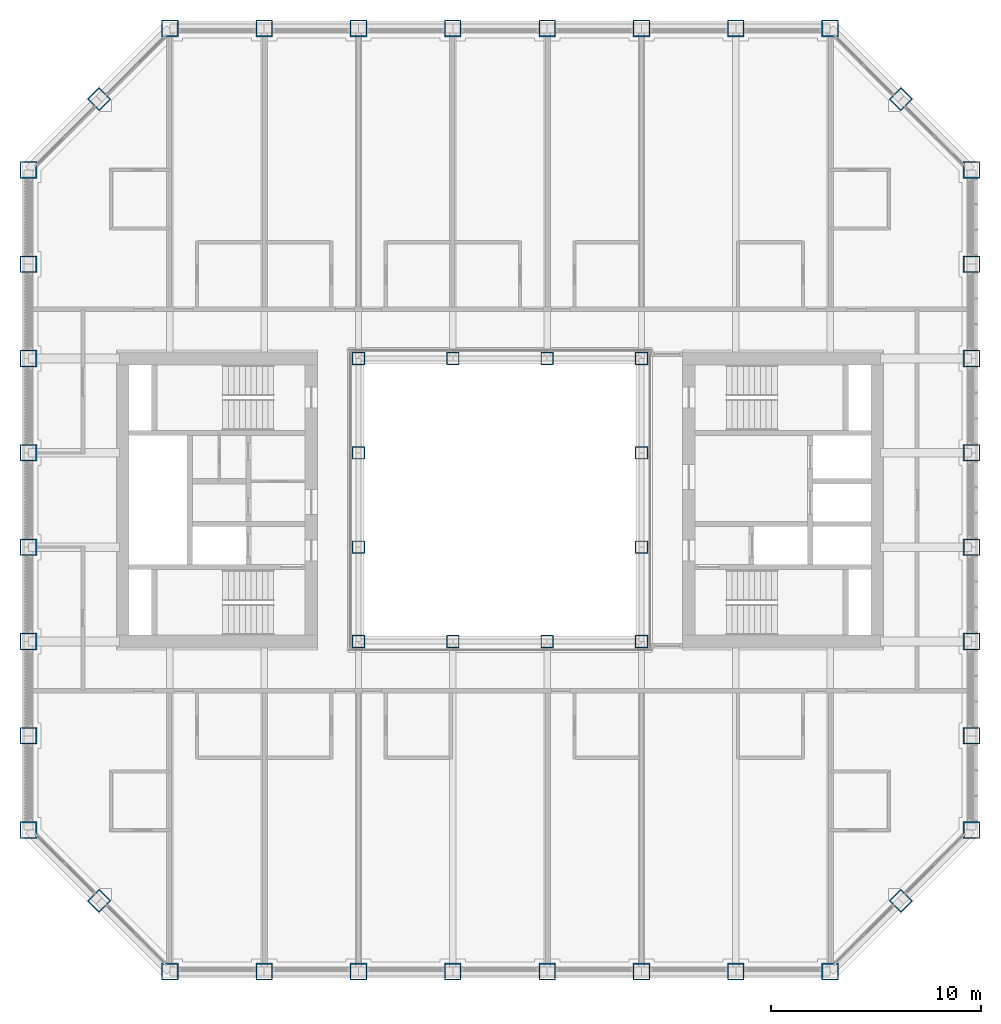
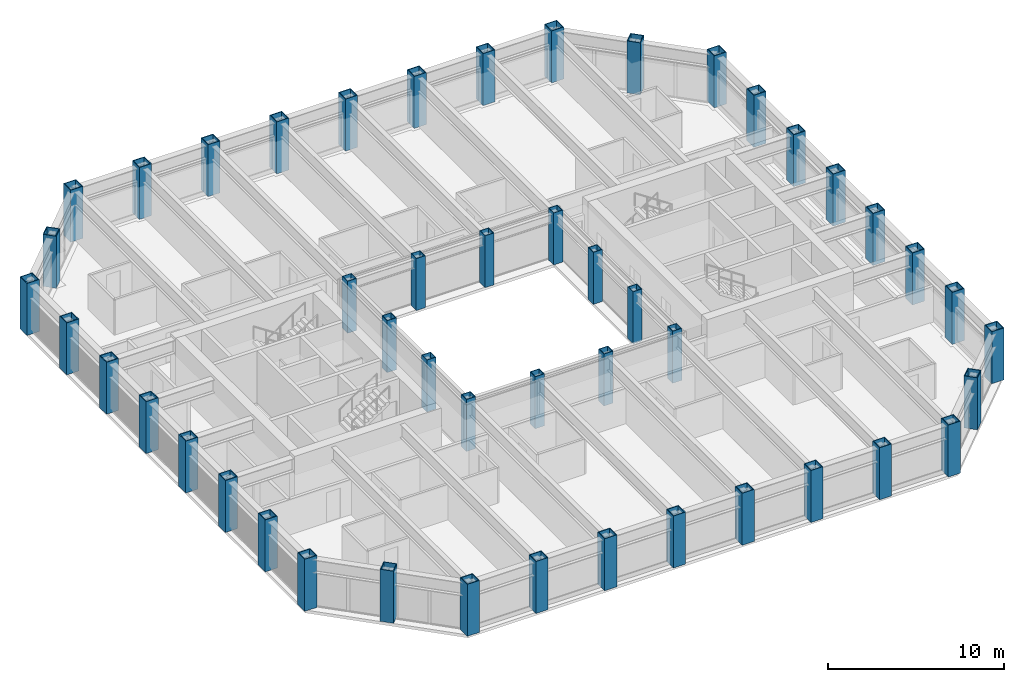
# One storey, part 1 of 17: 48 columns.
"""IFC4 building model written with IfcOpenShell, lengths in metres."""

from ifc_helpers import new_model, si_unit, direction, frame, origin, origin_2d, place, context, subcontext, project, spatial, hollow_rectangle, extrude, material, material_profile, profile_set, type_object, element, save


model = new_model("IFC4")

# Units and contexts
model_context = context("Model", 3, precision=1e-05, world=origin(), true_north=direction((0.0, 1.0)))
body_context = subcontext(model_context, "Body", "Model", "MODEL_VIEW")
ifc_project = project(units=[si_unit("LENGTHUNIT", "METRE"), si_unit("AREAUNIT", "SQUARE_METRE"), si_unit("VOLUMEUNIT", "CUBIC_METRE"), si_unit("PLANEANGLEUNIT", "RADIAN"), si_unit("MASSUNIT", "GRAM", prefix="KILO")], contexts=[model_context])

# Site, building, storey
site_placement = place(None, origin())
site = spatial("IfcSite", under=ifc_project, at=site_placement, CompositionType="ELEMENT")
building_placement = place(site_placement, origin())
building = spatial("IfcBuilding", under=site, at=building_placement, Name="Msasa Ring Tower", CompositionType="ELEMENT")
storey_placement = place(building_placement, frame((0.0, 0.0, 140.0)))
storey = spatial("IfcBuildingStorey", under=building, at=storey_placement, Name="L36", CompositionType="ELEMENT", Elevation=140.0)

# Columns
ifc_material_1 = material(Name="Steel S355", Category="steel")
ifc_material_profile_1 = material_profile(ifc_material_1, hollow_rectangle(XDim=0.60009765625, YDim=0.60009765625, WallThickness=0.0400390625, at=origin_2d()), Name="BOX 600x600x40")
ifc_profile_set_1 = profile_set([ifc_material_profile_1], Name="Steel S355")
column_type_1 = type_object("IfcColumnType", Name="IC4 BOX 600x600x40", PredefinedType="COLUMN", material=ifc_profile_set_1)
for number, where, z_axis, x_axis, name in (
    (1, (-6.75, -6.75, 0.0), (0.0, 0.0, 1.0), (1.0, 0.0, 0.0), "Inner ring column IR-6.75-6.75 L36"),
    (2, (-6.75, -2.25, 0.0), (0.0, 0.0, 1.0), (1.0, 0.0, 0.0), "Inner ring column IR-6.75-2.25 L36"),
    (3, (-6.75, 2.25, 0.0), (0.0, 0.0, 1.0), (1.0, 0.0, 0.0), "Inner ring column IR-6.75+2.25 L36"),
    (4, (-6.75, 6.75, 0.0), (0.0, 0.0, 1.0), (1.0, 0.0, 0.0), "Inner ring column IR-6.75+6.75 L36"),
    (5, (-2.25, -6.75, 0.0), (0.0, 0.0, 1.0), (1.0, 0.0, 0.0), "Inner ring column IR-2.25-6.75 L36"),
    (6, (-2.25, 6.75, 0.0), (0.0, 0.0, 1.0), (1.0, 0.0, 0.0), "Inner ring column IR-2.25+6.75 L36"),
    (7, (2.25, -6.75, 0.0), (0.0, 0.0, 1.0), (1.0, 0.0, 0.0), "Inner ring column IR+2.25-6.75 L36"),
    (8, (2.25, 6.75, 0.0), (0.0, 0.0, 1.0), (1.0, 0.0, 0.0), "Inner ring column IR+2.25+6.75 L36"),
    (9, (6.75, -6.75, 0.0), (0.0, 0.0, 1.0), (1.0, 0.0, 0.0), "Inner ring column IR+6.75-6.75 L36"),
    (10, (6.75, -2.25, 0.0), (0.0, 0.0, 1.0), (1.0, 0.0, 0.0), "Inner ring column IR+6.75-2.25 L36"),
    (11, (6.75, 2.25, 0.0), (0.0, 0.0, 1.0), (1.0, 0.0, 0.0), "Inner ring column IR+6.75+2.25 L36"),
    (12, (6.75, 6.75, 0.0), (0.0, 0.0, 1.0), (1.0, 0.0, 0.0), "Inner ring column IR+6.75+6.75 L36"),
):
    element("IfcColumn", number, at=place(storey_placement, frame(where, z_axis=z_axis, x_axis=x_axis)), inside=storey, type_object=column_type_1, Name=name, PredefinedType="COLUMN", context=body_context, shape_type="SweptSolid", body=[
        extrude(hollow_rectangle(XDim=0.60009765625, YDim=0.60009765625, WallThickness=0.0400390625, at=origin_2d()), origin(), (0.0, 0.0, 1.0), 3.60009765625),
    ])
ifc_material_2 = material(Name="Steel S355", Category="steel")
ifc_material_profile_2 = material_profile(ifc_material_2, hollow_rectangle(XDim=0.800048828125, YDim=0.800048828125, WallThickness=0.050048828125, at=origin_2d()), Name="BOX 800x800x50")
ifc_profile_set_2 = profile_set([ifc_material_profile_2], Name="Steel S355")
column_type_2 = type_object("IfcColumnType", Name="TC4 BOX 800x800x50", PredefinedType="COLUMN", material=ifc_profile_set_2)
for number, where, z_axis, x_axis, name in (
    (13, (-15.75, -22.5, 0.0), (0.0, 0.0, 1.0), (0.0, 1.0, 0.0), "Tube column S-15.75 L36"),
    (14, (-15.75, 22.5, 0.0), (0.0, 0.0, 1.0), (0.0, 1.0, 0.0), "Tube column N-15.75 L36"),
    (15, (22.5, -15.75, 0.0), (0.0, 0.0, 1.0), (1.0, 0.0, 0.0), "Tube column E-15.75 L36"),
    (16, (-22.5, -15.75, 0.0), (0.0, 0.0, 1.0), (1.0, 0.0, 0.0), "Tube column W-15.75 L36"),
    (17, (-11.25, -22.5, 0.0), (0.0, 0.0, 1.0), (0.0, 1.0, 0.0), "Tube column S-11.25 L36"),
    (18, (-11.25, 22.5, 0.0), (0.0, 0.0, 1.0), (0.0, 1.0, 0.0), "Tube column N-11.25 L36"),
    (19, (22.5, -11.25, 0.0), (0.0, 0.0, 1.0), (1.0, 0.0, 0.0), "Tube column E-11.25 L36"),
    (20, (-22.5, -11.25, 0.0), (0.0, 0.0, 1.0), (1.0, 0.0, 0.0), "Tube column W-11.25 L36"),
    (21, (-6.75, -22.5, 0.0), (0.0, 0.0, 1.0), (0.0, 1.0, 0.0), "Tube column S-6.75 L36"),
    (22, (-6.75, 22.5, 0.0), (0.0, 0.0, 1.0), (0.0, 1.0, 0.0), "Tube column N-6.75 L36"),
    (23, (22.5, -6.75, 0.0), (0.0, 0.0, 1.0), (1.0, 0.0, 0.0), "Tube column E-6.75 L36"),
    (24, (-22.5, -6.75, 0.0), (0.0, 0.0, 1.0), (1.0, 0.0, 0.0), "Tube column W-6.75 L36"),
    (25, (-2.25, -22.5, 0.0), (0.0, 0.0, 1.0), (0.0, 1.0, 0.0), "Tube column S-2.25 L36"),
    (26, (-2.25, 22.5, 0.0), (0.0, 0.0, 1.0), (0.0, 1.0, 0.0), "Tube column N-2.25 L36"),
    (27, (22.5, -2.25, 0.0), (0.0, 0.0, 1.0), (1.0, 0.0, 0.0), "Tube column E-2.25 L36"),
    (28, (-22.5, -2.25, 0.0), (0.0, 0.0, 1.0), (1.0, 0.0, 0.0), "Tube column W-2.25 L36"),
    (29, (2.25, -22.5, 0.0), (0.0, 0.0, 1.0), (0.0, 1.0, 0.0), "Tube column S+2.25 L36"),
    (30, (2.25, 22.5, 0.0), (0.0, 0.0, 1.0), (0.0, 1.0, 0.0), "Tube column N+2.25 L36"),
    (31, (22.5, 2.25, 0.0), (0.0, 0.0, 1.0), (1.0, 0.0, 0.0), "Tube column E+2.25 L36"),
    (32, (-22.5, 2.25, 0.0), (0.0, 0.0, 1.0), (1.0, 0.0, 0.0), "Tube column W+2.25 L36"),
    (33, (6.75, -22.5, 0.0), (0.0, 0.0, 1.0), (0.0, 1.0, 0.0), "Tube column S+6.75 L36"),
    (34, (6.75, 22.5, 0.0), (0.0, 0.0, 1.0), (0.0, 1.0, 0.0), "Tube column N+6.75 L36"),
    (35, (22.5, 6.75, 0.0), (0.0, 0.0, 1.0), (1.0, 0.0, 0.0), "Tube column E+6.75 L36"),
    (36, (-22.5, 6.75, 0.0), (0.0, 0.0, 1.0), (1.0, 0.0, 0.0), "Tube column W+6.75 L36"),
    (37, (11.25, -22.5, 0.0), (0.0, 0.0, 1.0), (0.0, 1.0, 0.0), "Tube column S+11.25 L36"),
    (38, (11.25, 22.5, 0.0), (0.0, 0.0, 1.0), (0.0, 1.0, 0.0), "Tube column N+11.25 L36"),
    (39, (22.5, 11.25, 0.0), (0.0, 0.0, 1.0), (1.0, 0.0, 0.0), "Tube column E+11.25 L36"),
    (40, (-22.5, 11.25, 0.0), (0.0, 0.0, 1.0), (1.0, 0.0, 0.0), "Tube column W+11.25 L36"),
    (41, (15.75, -22.5, 0.0), (0.0, 0.0, 1.0), (0.0, 1.0, 0.0), "Tube column S+15.75 L36"),
    (42, (15.75, 22.5, 0.0), (0.0, 0.0, 1.0), (0.0, 1.0, 0.0), "Tube column N+15.75 L36"),
    (43, (22.5, 15.75, 0.0), (0.0, 0.0, 1.0), (1.0, 0.0, 0.0), "Tube column E+15.75 L36"),
    (44, (-22.5, 15.75, 0.0), (0.0, 0.0, 1.0), (1.0, 0.0, 0.0), "Tube column W+15.75 L36"),
    (45, (19.125, -19.125, 0.0), (0.0, 0.0, 1.0), (0.707106781187, -0.707106781187, 0.0), "Tube column SE L36"),
    (46, (19.125, 19.125, 0.0), (0.0, 0.0, 1.0), (0.707106781187, 0.707106781187, 0.0), "Tube column NE L36"),
    (47, (-19.125, 19.125, 0.0), (0.0, 0.0, 1.0), (0.707106781187, -0.707106781187, 0.0), "Tube column NW L36"),
    (48, (-19.125, -19.125, 0.0), (0.0, 0.0, 1.0), (0.707106781187, 0.707106781187, 0.0), "Tube column SW L36"),
):
    element("IfcColumn", number, at=place(storey_placement, frame(where, z_axis=z_axis, x_axis=x_axis)), inside=storey, type_object=column_type_2, Name=name, PredefinedType="COLUMN", context=body_context, shape_type="SweptSolid", body=[
        extrude(hollow_rectangle(XDim=0.800048828125, YDim=0.800048828125, WallThickness=0.050048828125, at=origin_2d()), origin(), (0.0, 0.0, 1.0), 3.60009765625),
    ])

save(model, "model.ifc")
